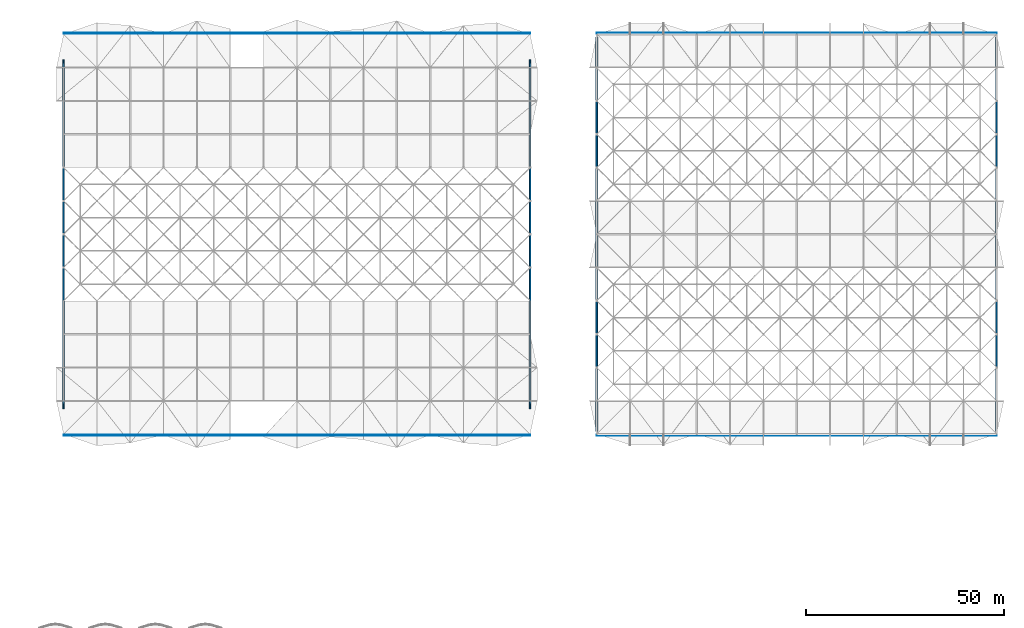
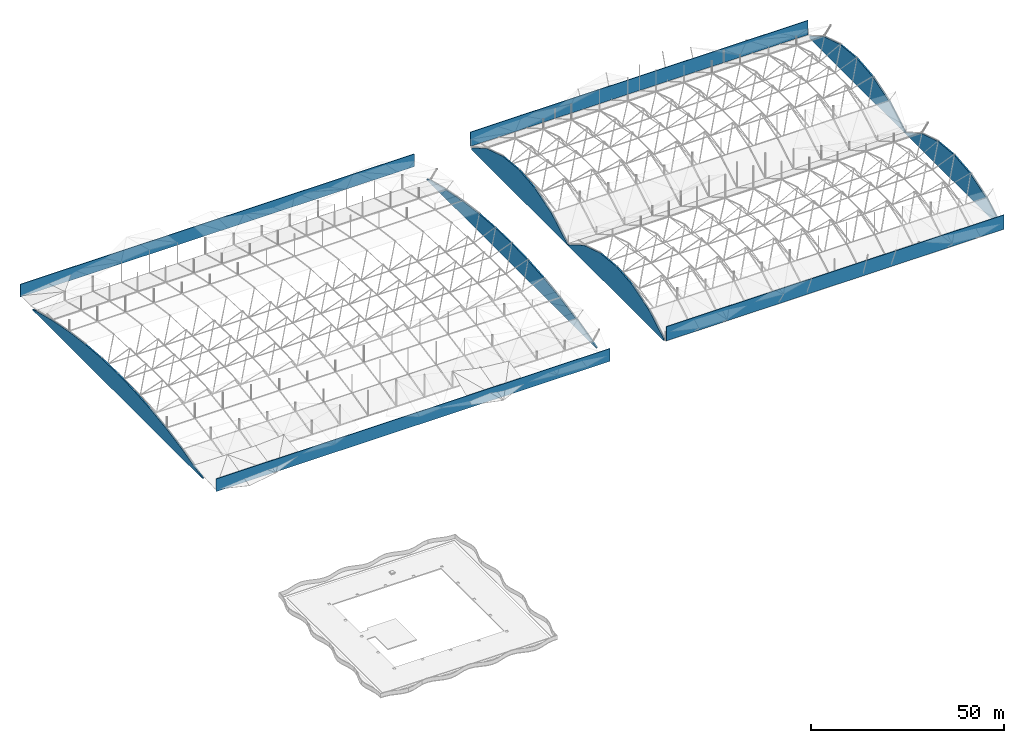
# One storey, part 21 of 111: 8 walls.
"""IFC4 building model written with IfcOpenShell, lengths in metres."""

from ifc_helpers import new_model, si_unit, direction, frame, frame_2d, origin, place, context, subcontext, project, spatial, polyline, rectangle, outline, extrude, material, layer, layer_set, type_object, element, save


model = new_model("IFC4")

# Units and contexts
model_context = context("Model", 3, precision=1e-05, world=origin(), true_north=direction((0.0, 1.0)))
body_context = subcontext(model_context, "Body", "Model", "MODEL_VIEW")
ifc_project = project(units=[si_unit("LENGTHUNIT", "METRE"), si_unit("AREAUNIT", "SQUARE_METRE"), si_unit("VOLUMEUNIT", "CUBIC_METRE"), si_unit("PLANEANGLEUNIT", "RADIAN"), si_unit("MASSUNIT", "GRAM", prefix="KILO")], contexts=[model_context])

# Site, building, storey
site_placement = place(None, origin())
site = spatial("IfcSite", under=ifc_project, at=site_placement, CompositionType="ELEMENT")
building_placement = place(site_placement, origin())
building = spatial("IfcBuilding", under=site, at=building_placement, Name="Rain Tree Exposition and Congress Centre", CompositionType="ELEMENT")
storey_placement = place(building_placement, frame((0.0, 0.0, 19.5)))
storey = spatial("IfcBuildingStorey", under=building, at=storey_placement, Name="RF", CompositionType="ELEMENT", Elevation=19.5)

# Walls
ifc_material_1 = material(Name="Precast concrete C50/60", Category="concrete")
ifc_layer_1 = layer(ifc_material_1, 0.39990234375)
ifc_layer_set_1 = layer_set([ifc_layer_1], Name="Precast concrete C50/60")
wall_type_1 = type_object("IfcWallType", Name="Hall gable precast wall 400", PredefinedType="SHEAR", material=ifc_layer_set_1)
for number, where, z_axis, x_axis, name in (
    (1, (8.39990234375, 107.25244140625, 0.0), (0.0, 0.0, 1.0), (0.0, 1.0, 0.0), "Gable crown wall"),
    (2, (126.0, 107.25244140625, 0.0), (0.0, 0.0, 1.0), (0.0, 1.0, 0.0), "Gable crown wall"),
):
    element("IfcWall", number, at=place(storey_placement, frame(where, z_axis=z_axis, x_axis=x_axis)), inside=storey, type_object=wall_type_1, Name=name, PredefinedType="SHEAR", context=body_context, shape_type="SweptSolid", body=[
        extrude(outline(polyline([(0.0, 0.0), (87.895263671875, 0.0), (87.895263671875, 0.199951171875), (85.947509765625, 0.806640625), (77.547607421875, 2.9140625), (69.147705078125, 4.533203125), (60.74755859375, 5.67919921875), (52.34765625, 6.36279296875), (43.947509765625, 6.590087890625), (35.547607421875, 6.36279296875), (27.147705078125, 5.67919921875), (18.74755859375, 4.533203125), (10.34765625, 2.9140625), (1.947509765625, 0.806640625), (0.0, 0.199951171875), (0.0, 0.0)])), frame((0.0, 0.199951171875, 0.0), z_axis=(0.0, -1.0, 0.0), x_axis=(1.0, 0.0, 0.0)), (0.0, 0.0, 1.0), 0.39990234375),
    ])
for number, where, z_axis, x_axis, name in (
    (3, (142.800048828125, 101.60009765625, 0.0), (0.0, 0.0, 1.0), (0.0, 1.0, 0.0), "Gable crown wall"),
    (4, (243.60009765625, 101.60009765625, 0.0), (0.0, 0.0, 1.0), (0.0, 1.0, 0.0), "Gable crown wall"),
):
    element("IfcWall", number, at=place(storey_placement, frame(where, z_axis=z_axis, x_axis=x_axis)), inside=storey, type_object=wall_type_1, Name=name, PredefinedType="SHEAR", context=body_context, shape_type="SweptSolid", body=[
        extrude(outline(polyline([(0.0, 0.0), (99.199951171875, 0.0), (99.199951171875, 0.656005859375), (91.60009765625, 5.083984375), (83.199951171875, 7.740966796875), (74.800048828125, 8.590087890625), (66.39990234375, 7.740966796875), (58.0, 5.083984375), (49.6171875, 0.199951171875), (49.582763671875, 0.199951171875), (41.199951171875, 5.083984375), (32.800048828125, 7.740966796875), (24.39990234375, 8.590087890625), (16.0, 7.740966796875), (7.60009765625, 5.083984375), (0.0, 0.656005859375), (0.0, 0.0)])), frame((0.0, 0.199951171875, 0.0), z_axis=(0.0, -1.0, 0.0), x_axis=(1.0, 0.0, 0.0)), (0.0, 0.0, 1.0), 0.39990234375),
    ])
ifc_material_2 = material(Name="Perforated terracotta rainscreen", Category="masonry")
ifc_layer_2 = layer(ifc_material_2, 0.199951171875)
ifc_layer_set_2 = layer_set([ifc_layer_2], Name="Perforated terracotta rainscreen")
wall_type_2 = type_object("IfcWallType", Name="Roof-edge terracotta screen wall 200", PredefinedType="STANDARD", material=ifc_layer_set_2)
for number, where, z_axis, x_axis, name in (
    (5, (8.39990234375, 100.56494140625, 0.0), (0.0, 0.0, 1.0), (1.0, 0.0, 0.0), "Roof-edge screen wall S2"),
    (6, (8.39990234375, 201.8349609375, 0.0), (0.0, 0.0, 1.0), (1.0, 0.0, 0.0), "Roof-edge screen wall N2"),
):
    element("IfcWall", number, at=place(storey_placement, frame(where, z_axis=z_axis, x_axis=x_axis)), inside=storey, type_object=wall_type_2, Name=name, PredefinedType="STANDARD", context=body_context, shape_type="SweptSolid", body=[
        extrude(rectangle(XDim=117.60009765625, YDim=0.199951171875, at=frame_2d((58.800048828125, 0.0))), origin(), (0.0, 0.0, 1.0), 4.0),
    ])
for number, where, z_axis, x_axis, name in (
    (7, (142.800048828125, 100.56494140625, 0.5), (0.0, 0.0, 1.0), (1.0, 0.0, 0.0), "Roof-edge screen wall S1"),
    (8, (142.800048828125, 201.8349609375, 0.5), (0.0, 0.0, 1.0), (1.0, 0.0, 0.0), "Roof-edge screen wall N1"),
):
    element("IfcWall", number, at=place(storey_placement, frame(where, z_axis=z_axis, x_axis=x_axis)), inside=storey, type_object=wall_type_2, Name=name, PredefinedType="STANDARD", context=body_context, shape_type="SweptSolid", body=[
        extrude(rectangle(XDim=100.800048828125, YDim=0.199951171875, at=frame_2d((50.39990234375, 0.0))), origin(), (0.0, 0.0, 1.0), 4.5),
    ])

save(model, "model.ifc")
